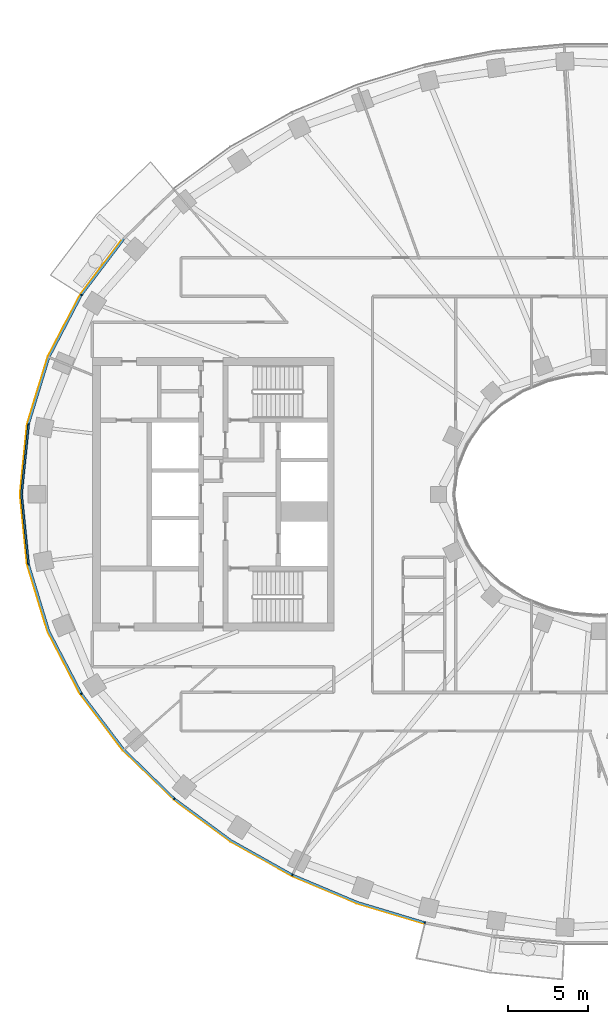
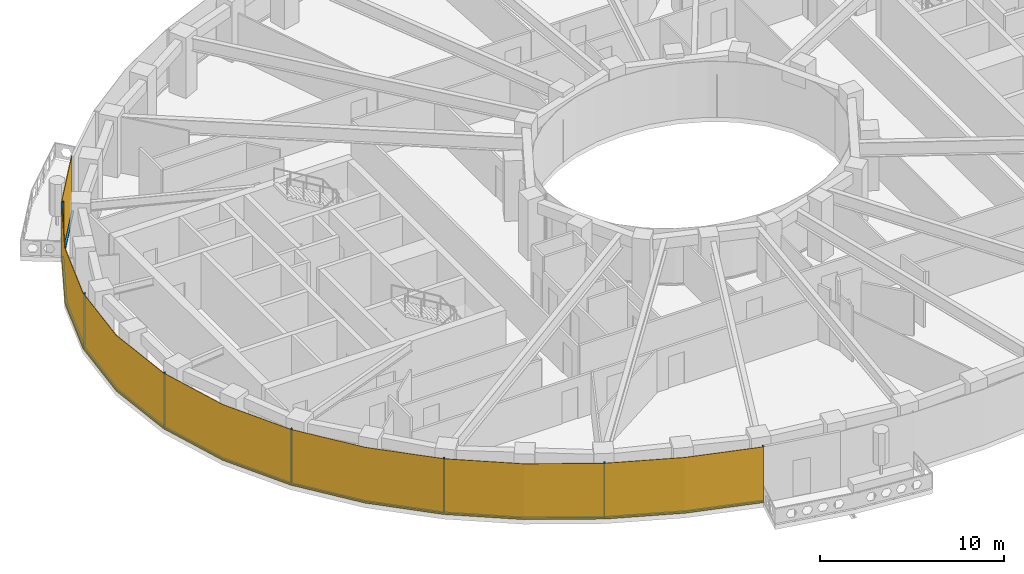
# One storey, part 8 of 16: 14 members, 1 curtain wall.
"""IFC4 building model written with IfcOpenShell, lengths in metres."""

from ifc_helpers import new_model, si_unit, direction, frame, origin, origin_2d, place, context, subcontext, project, spatial, polyline, rectangle, outline, extrude, material, layer, layer_set, material_profile, profile_set, type_object, element, aggregate, save


model = new_model("IFC4")

# Units and contexts
model_context = context("Model", 3, precision=1e-05, world=origin(), true_north=direction((0.0, 1.0)))
body_context = subcontext(model_context, "Body", "Model", "MODEL_VIEW")
ifc_project = project(units=[si_unit("LENGTHUNIT", "METRE"), si_unit("AREAUNIT", "SQUARE_METRE"), si_unit("VOLUMEUNIT", "CUBIC_METRE"), si_unit("PLANEANGLEUNIT", "RADIAN"), si_unit("MASSUNIT", "GRAM", prefix="KILO")], contexts=[model_context])

# Member
ifc_material_1 = material(Name="Aluminium 6063-T6 black anodised", Category="aluminium")
ifc_material_profile = material_profile(ifc_material_1, rectangle(XDim=0.1201171875, YDim=0.06005859375, at=origin_2d()), Name="120x60")
ifc_profile_set = profile_set([ifc_material_profile], Name="Aluminium 6063-T6 black anodised")
member_type_1 = type_object("IfcMemberType", Name="ENV-MULLION-A-120", PredefinedType="MULLION", material=ifc_profile_set)
site_placement = place(None, origin())
building_placement = place(site_placement, origin())
storey_placement = place(building_placement, frame((0.0, 0.0, 249.5)))
member_1_placement = place(storey_placement, frame((-32.177490234375, 12.385498046875, 0.0), z_axis=(0.0, 0.0, 1.0), x_axis=(0.844829880882, -0.53503501976, 0.0)))
member_1 = element("IfcMember", 1, at=member_1_placement, type_object=member_type_1, Name="Mullion A radial 21", PredefinedType="MULLION", context=body_context, shape_type="SweptSolid", body=[
    extrude(rectangle(XDim=0.1201171875, YDim=0.06005859375, at=origin_2d()), origin(), (0.0, 0.0, 1.0), 3.699951171875),
])

member_2_placement = place(storey_placement, frame((-35.470947265625, 4.340576171875, 0.0), z_axis=(0.0, 0.0, 1.0), x_axis=(0.980379083141, -0.19712141776, 0.0)))
member_2 = element("IfcMember", 2, at=member_2_placement, type_object=member_type_1, Name="Mullion A radial 23", PredefinedType="MULLION", context=body_context, shape_type="SweptSolid", body=[
    extrude(rectangle(XDim=0.1201171875, YDim=0.06005859375, at=origin_2d()), origin(), (0.0, 0.0, 1.0), 3.699951171875),
])

member_3_placement = place(storey_placement, frame((-35.470947265625, -4.340576171875, 0.0), z_axis=(0.0, 0.0, 1.0), x_axis=(0.980379083141, 0.19712141776, 0.0)))
member_3 = element("IfcMember", 3, at=member_3_placement, type_object=member_type_1, Name="Mullion A radial 25", PredefinedType="MULLION", context=body_context, shape_type="SweptSolid", body=[
    extrude(rectangle(XDim=0.1201171875, YDim=0.06005859375, at=origin_2d()), origin(), (0.0, 0.0, 1.0), 3.699951171875),
])

member_4_placement = place(storey_placement, frame((-32.177490234375, -12.385498046875, 0.0), z_axis=(0.0, 0.0, 1.0), x_axis=(0.844829880882, 0.53503501976, 0.0)))
member_4 = element("IfcMember", 4, at=member_4_placement, type_object=member_type_1, Name="Mullion A radial 27", PredefinedType="MULLION", context=body_context, shape_type="SweptSolid", body=[
    extrude(rectangle(XDim=0.1201171875, YDim=0.06005859375, at=origin_2d()), origin(), (0.0, 0.0, 1.0), 3.699951171875),
])

member_5_placement = place(storey_placement, frame((-26.403564453125, -18.9130859375, 0.0), z_axis=(0.0, 0.0, 1.0), x_axis=(0.646451313783, 0.762955240435, 0.0)))
member_5 = element("IfcMember", 5, at=member_5_placement, type_object=member_type_1, Name="Mullion A radial 29", PredefinedType="MULLION", context=body_context, shape_type="SweptSolid", body=[
    extrude(rectangle(XDim=0.1201171875, YDim=0.06005859375, at=origin_2d()), origin(), (0.0, 0.0, 1.0), 3.699951171875),
])

member_6_placement = place(storey_placement, frame((-19.06787109375, -23.6474609375, 0.0), z_axis=(0.0, 0.0, 1.0), x_axis=(0.439237769837, 0.898370848563, 0.0)))
member_6 = element("IfcMember", 6, at=member_6_placement, type_object=member_type_1, Name="Mullion A radial 31", PredefinedType="MULLION", context=body_context, shape_type="SweptSolid", body=[
    extrude(rectangle(XDim=0.1201171875, YDim=0.06005859375, at=origin_2d()), origin(), (0.0, 0.0, 1.0), 3.699951171875),
])

member_7_placement = place(storey_placement, frame((-10.84326171875, -26.60498046875, 0.0), z_axis=(0.0, 0.0, 1.0), x_axis=(0.239799081534, 0.970822538106, 0.0)))
member_7 = element("IfcMember", 7, at=member_7_placement, type_object=member_type_1, Name="Mullion A radial 33", PredefinedType="MULLION", context=body_context, shape_type="SweptSolid", body=[
    extrude(rectangle(XDim=0.1201171875, YDim=0.06005859375, at=origin_2d()), origin(), (0.0, 0.0, 1.0), 3.699951171875),
])

ifc_material_2 = material(Name="Aluminium 6063-T6 black anodised", Category="aluminium")
member_type_2 = type_object("IfcMemberType", Name="ENV-TRANSOM-A", PredefinedType="USERDEFINED", material=ifc_material_2)
member_8_placement = place(storey_placement, origin())
member_8 = element("IfcMember", 8, at=member_8_placement, type_object=member_type_2, Name="Transom A radial 20-21", ObjectType="TRANSOM", PredefinedType="USERDEFINED", context=body_context, shape_type="SweptSolid", body=[
    extrude(outline(polyline([(-29.595703125, 15.890869140625), (-32.211181640625, 12.43994140625), (-32.109375, 12.37548828125), (-29.505615234375, 15.811279296875), (-29.595703125, 15.890869140625)])), origin(), (0.0, 0.0, 1.0), 0.10009765625),
])

member_9_placement = place(storey_placement, origin())
member_9 = element("IfcMember", 9, at=member_9_placement, type_object=member_type_2, Name="Transom A radial 21-23", ObjectType="TRANSOM", PredefinedType="USERDEFINED", context=body_context, shape_type="SweptSolid", body=[
    extrude(outline(polyline([(-32.240966796875, 12.392578125), (-34.251220703125, 8.53662109375), (-35.521484375, 4.379150390625), (-35.4033203125, 4.355224609375), (-34.139892578125, 8.490966796875), (-32.139404296875, 12.328369140625), (-32.240966796875, 12.392578125)])), origin(), (0.0, 0.0, 1.0), 0.10009765625),
])

member_10_placement = place(storey_placement, origin())
member_10 = element("IfcMember", 10, at=member_10_placement, type_object=member_type_2, Name="Transom A radial 23-25", ObjectType="TRANSOM", PredefinedType="USERDEFINED", context=body_context, shape_type="SweptSolid", body=[
    extrude(outline(polyline([(-35.532470703125, 4.324462890625), (-35.9677734375, 0.0), (-35.532470703125, -4.324462890625), (-35.414306640625, -4.30078125), (-35.84716796875, 0.0), (-35.414306640625, 4.30078125), (-35.532470703125, 4.324462890625)])), origin(), (0.0, 0.0, 1.0), 0.10009765625),
])

member_11_placement = place(storey_placement, origin())
member_11 = element("IfcMember", 11, at=member_11_placement, type_object=member_type_2, Name="Transom A radial 25-27", ObjectType="TRANSOM", PredefinedType="USERDEFINED", context=body_context, shape_type="SweptSolid", body=[
    extrude(outline(polyline([(-35.521484375, -4.379150390625), (-34.251220703125, -8.53662109375), (-32.240966796875, -12.392578125), (-32.139404296875, -12.328369140625), (-34.139892578125, -8.490966796875), (-35.4033203125, -4.355224609375), (-35.521484375, -4.379150390625)])), origin(), (0.0, 0.0, 1.0), 0.10009765625),
])

member_12_placement = place(storey_placement, origin())
member_12 = element("IfcMember", 12, at=member_12_placement, type_object=member_type_2, Name="Transom A radial 27-29", ObjectType="TRANSOM", PredefinedType="USERDEFINED", context=body_context, shape_type="SweptSolid", body=[
    extrude(outline(polyline([(-32.211181640625, -12.43994140625), (-29.58349609375, -15.906982421875), (-26.46240234375, -18.939208984375), (-26.384765625, -18.847412109375), (-29.493408203125, -15.8271484375), (-32.109375, -12.37548828125), (-32.211181640625, -12.43994140625)])), origin(), (0.0, 0.0, 1.0), 0.10009765625),
])

member_13_placement = place(storey_placement, origin())
member_13 = element("IfcMember", 13, at=member_13_placement, type_object=member_type_2, Name="Transom A radial 29-31", ObjectType="TRANSOM", PredefinedType="USERDEFINED", context=body_context, shape_type="SweptSolid", body=[
    extrude(outline(polyline([(-26.419921875, -18.975341796875), (-22.9150390625, -21.556884765625), (-19.11865234375, -23.687744140625), (-19.06591796875, -23.57958984375), (-22.85009765625, -21.455810546875), (-26.342041015625, -18.883544921875), (-26.419921875, -18.975341796875)])), origin(), (0.0, 0.0, 1.0), 0.10009765625),
])

member_14_placement = place(storey_placement, origin())
member_14 = element("IfcMember", 14, at=member_14_placement, type_object=member_type_2, Name="Transom A radial 31-33", ObjectType="TRANSOM", PredefinedType="USERDEFINED", context=body_context, shape_type="SweptSolid", body=[
    extrude(outline(polyline([(-19.068359375, -23.71240234375), (-15.054443359375, -25.400146484375), (-10.884521484375, -26.655029296875), (-10.855712890625, -26.53857421875), (-15.013916015625, -25.287109375), (-19.015380859375, -23.604248046875), (-19.068359375, -23.71240234375)])), origin(), (0.0, 0.0, 1.0), 0.10009765625),
])

# Site, building, storey
site = spatial("IfcSite", under=ifc_project, at=site_placement, CompositionType="ELEMENT")
building = spatial("IfcBuilding", under=site, at=building_placement, Name="Noorbagh Ring Tower", CompositionType="ELEMENT")
storey = spatial("IfcBuildingStorey", under=building, at=storey_placement, Name="L52", CompositionType="ELEMENT", Elevation=249.5)

# Curtain wall
ifc_material_3 = material(Name="Glass dark tinted laminated", Category="glass")
ifc_layer = layer(ifc_material_3, 0.031982421875)
ifc_layer_set = layer_set([ifc_layer], Name="Glass dark tinted laminated")
curtain_wall_type = type_object("IfcCurtainWallType", Name="ENV-CW-A", PredefinedType="NOTDEFINED", material=ifc_layer_set)
curtain_wall_placement = place(storey_placement, origin())
curtain_wall = element("IfcCurtainWall", 15, at=curtain_wall_placement, inside=storey, type_object=curtain_wall_type, Name="Curtain wall A R20", PredefinedType="NOTDEFINED", context=body_context, shape_type="SweptSolid", body=[
    extrude(outline(polyline([(-29.61962890625, 15.912109375), (-32.255126953125, 12.434814453125), (-34.281005859375, 8.548828125), (-35.561279296875, 4.358642578125), (-36.0, 0.0), (-35.561279296875, -4.358642578125), (-34.281005859375, -8.548828125), (-32.255126953125, -12.434814453125), (-29.607666015625, -15.927978515625), (-26.463134765625, -18.9833984375), (-22.9326171875, -21.583740234375), (-19.108154296875, -23.730224609375), (-15.065185546875, -25.430419921875), (-10.884521484375, -26.6884765625), (-10.876708984375, -26.657470703125), (-15.054443359375, -25.400146484375), (-19.093994140625, -23.701416015625), (-22.9150390625, -21.556884765625), (-26.4423828125, -18.958740234375), (-29.58349609375, -15.906982421875), (-32.22802734375, -12.41748046875), (-34.251220703125, -8.53662109375), (-35.529541015625, -4.352294921875), (-35.9677734375, 0.0), (-35.529541015625, 4.352294921875), (-34.251220703125, 8.53662109375), (-32.22802734375, 12.41748046875), (-29.595703125, 15.890869140625), (-29.61962890625, 15.912109375)])), origin(), (0.0, 0.0, 1.0), 3.699951171875),
])

aggregate(curtain_wall, [member_1, member_2, member_3, member_4, member_5, member_6, member_7, member_8, member_9, member_10, member_11, member_12, member_13, member_14])

save(model, "model.ifc")
